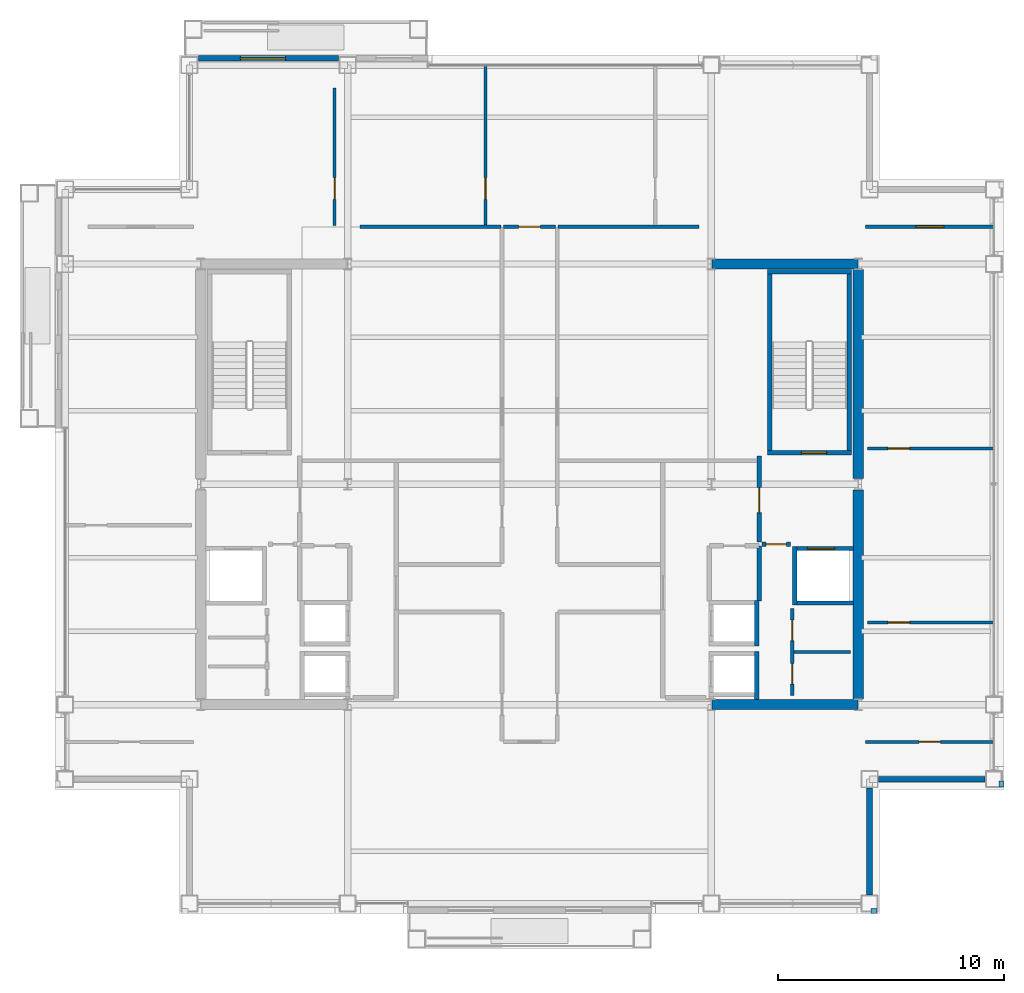
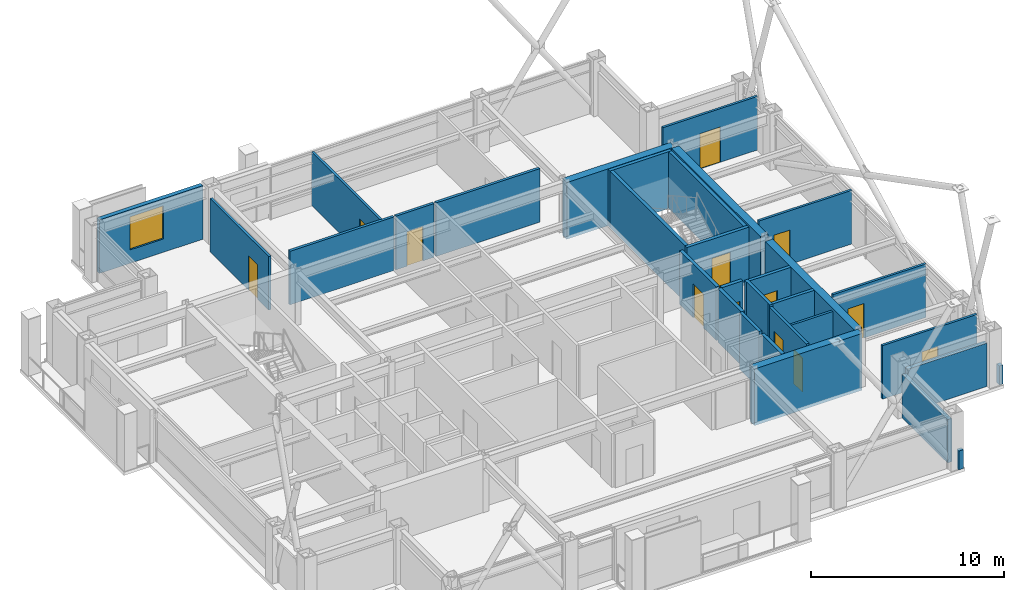
# One storey, part 27 of 30: 32 walls, 13 doors, 1 window, 14 openings.
"""IFC4 building model written with IfcOpenShell, lengths in metres."""

from ifc_helpers import new_model, si_unit, direction, frame, frame_2d, origin, place, context, subcontext, project, spatial, rectangle, extrude, material, layer, layer_set, type_object, element, fill, save


model = new_model("IFC4")

# Units and contexts
model_context = context("Model", 3, precision=1e-05, world=origin(), true_north=direction((0.0, 1.0)))
body_context = subcontext(model_context, "Body", "Model", "MODEL_VIEW")
ifc_project = project(units=[si_unit("LENGTHUNIT", "METRE"), si_unit("AREAUNIT", "SQUARE_METRE"), si_unit("VOLUMEUNIT", "CUBIC_METRE"), si_unit("PLANEANGLEUNIT", "RADIAN"), si_unit("MASSUNIT", "GRAM", prefix="KILO")], contexts=[model_context])

# Site, building, storey
site_placement = place(None, origin())
site = spatial("IfcSite", under=ifc_project, at=site_placement, CompositionType="ELEMENT")
building_placement = place(site_placement, origin())
building = spatial("IfcBuilding", under=site, at=building_placement, Name="Brelmoor Portico Tower", CompositionType="ELEMENT")
storey_placement = place(building_placement, frame((0.0, 0.0, 173.10009765625)))
storey = spatial("IfcBuildingStorey", under=building, at=storey_placement, Name="L45", CompositionType="ELEMENT", Elevation=173.10009765625)

# Walls
ifc_material_1 = material(Name="Concrete C50", Category="concrete")
ifc_layer_1 = layer(ifc_material_1, 0.449951171875)
ifc_layer_set_1 = layer_set([ifc_layer_1], Name="Concrete C50")
wall_type_1 = type_object("IfcWallType", Name="WL-CORE-450", PredefinedType="SHEAR", material=ifc_layer_set_1)
for number, where, z_axis, x_axis, name in (
    (1, (8.070068359375, -9.75, -0.2001953125), (0.0, 0.0, 1.0), (1.0, 0.0, 0.0), "L45 EC South Shear Wall"),
    (2, (8.070068359375, 9.75, -0.2001953125), (0.0, 0.0, 1.0), (1.0, 0.0, 0.0), "L45 EC North Shear Wall"),
):
    element("IfcWall", number, at=place(storey_placement, frame(where, z_axis=z_axis, x_axis=x_axis)), inside=storey, type_object=wall_type_1, Name=name, PredefinedType="SHEAR", context=body_context, shape_type="SweptSolid", body=[
        extrude(rectangle(XDim=6.4599609375, YDim=0.449951171875, at=frame_2d((3.22998046875, 0.0))), origin(), (0.0, 0.0, 1.0), 3.60009765625),
    ])
for number, where, z_axis, x_axis, name in (
    (3, (14.550048828125, -9.5, -0.2001953125), (0.0, 0.0, 1.0), (0.0, 1.0, 0.0), "L45 EC Outer South Shear Wall"),
    (4, (14.550048828125, 0.25, -0.2001953125), (0.0, 0.0, 1.0), (0.0, 1.0, 0.0), "L45 EC Outer North Shear Wall"),
):
    element("IfcWall", number, at=place(storey_placement, frame(where, z_axis=z_axis, x_axis=x_axis)), inside=storey, type_object=wall_type_1, Name=name, PredefinedType="SHEAR", context=body_context, shape_type="SweptSolid", body=[
        extrude(rectangle(XDim=9.25, YDim=0.449951171875, at=frame_2d((4.625, 0.0))), origin(), (0.0, 0.0, 1.0), 3.60009765625),
    ])

# Wall, opening, window
ifc_material_2 = material(Name="Precast Concrete C40 Insulated Facade Wall", Category="concrete")
ifc_layer_2 = layer(ifc_material_2, 0.25)
ifc_layer_set_2 = layer_set([ifc_layer_2], Name="Precast Concrete C40 Insulated Facade Wall")
wall_type_2 = type_object("IfcWallType", Name="WL-EXT-250", PredefinedType="STANDARD", material=ifc_layer_set_2)
wall_1_placement = place(storey_placement, frame((-14.655029296875, 18.860107421875, 0.0), z_axis=(0.0, 0.0, 1.0), x_axis=(1.0, 0.0, 0.0)))
wall_1 = element("IfcWall", 5, at=wall_1_placement, inside=storey, type_object=wall_type_2, Name="L45 Loggia Threshold Wall N-1", PredefinedType="STANDARD", context=body_context, shape_type="SweptSolid", body=[
    extrude(rectangle(XDim=6.2099609375, YDim=0.25, at=frame_2d((3.10498046875, 0.0))), origin(), (0.0, 0.0, 1.0), 3.39990234375),
])
opening_1_placement = place(wall_1_placement, frame((1.85498046875, 0.0, 0.85009765625)))
opening_1 = element("IfcOpeningElement", 6, at=opening_1_placement, cuts=wall_1, Name="Opening W-03", PredefinedType="OPENING", context=body_context, shape_type="SweptSolid", body=[
    extrude(rectangle(XDim=2.0, YDim=2.10009765625, at=frame_2d((1.0, 1.050048828125))), frame((0.0, 0.135009765625, 0.0), z_axis=(0.0, -1.0, 0.0), x_axis=(1.0, 0.0, 0.0)), (0.0, 0.0, 1.0), 0.27001953125),
])
ifc_material_3 = material(Name="Thermally Broken Aluminium Low-E Window", Category="aluminium")
window_type = type_object("IfcWindowType", Name="WN-LOGGIA-2000x2100", PartitioningType="SINGLE_PANEL", PredefinedType="WINDOW", material=ifc_material_3)
window_placement = place(opening_1_placement, origin())
window = element("IfcWindow", 7, at=window_placement, inside=storey, type_object=window_type, Name="L45 Loggia Window N", OverallHeight=2.10009765625, OverallWidth=2.0, PartitioningType="SINGLE_PANEL", PredefinedType="WINDOW", context=body_context, shape_type="SweptSolid", body=[
    extrude(rectangle(XDim=2.0, YDim=2.10009765625, at=frame_2d((1.0, 1.050048828125))), frame((0.0, 0.030029296875, 0.0), z_axis=(0.0, -1.0, 0.0), x_axis=(1.0, 0.0, 0.0)), (0.0, 0.0, 1.0), 0.06005859375),
])
fill(opening_1, window)

# Walls
for number, where, z_axis, x_axis, name in (
    (8, (15.43505859375, -13.050048828125, 0.0), (0.0, 0.0, 1.0), (1.0, 0.0, 0.0), "L45 Corner Notch Facade Wall NSEH1"),
    (9, (15.050048828125, -18.1650390625, 0.0), (0.0, 0.0, 1.0), (0.0, 1.0, 0.0), "L45 Corner Notch Facade Wall NSEV1"),
):
    element("IfcWall", number, at=place(storey_placement, frame(where, z_axis=z_axis, x_axis=x_axis)), inside=storey, type_object=wall_type_2, Name=name, PredefinedType="STANDARD", context=body_context, shape_type="SweptSolid", body=[
        extrude(rectangle(XDim=4.72998046875, YDim=0.25, at=frame_2d((2.364990234375, 0.0))), origin(), (0.0, 0.0, 1.0), 2.75),
    ])
ifc_material_4 = material(Name="Concrete C40 Parapet Upstand", Category="concrete")
ifc_layer_3 = layer(ifc_material_4, 0.219970703125)
ifc_layer_set_3 = layer_set([ifc_layer_3], Name="Concrete C40 Parapet Upstand")
wall_type_3 = type_object("IfcWallType", Name="WL-PARAPET-220", PredefinedType="PARAPET", material=ifc_layer_set_3)
for number, where, z_axis, x_axis, name in (
    (10, (15.1201171875, -18.889892578125, 0.0), (0.0, 0.0, 1.0), (1.0, 0.0, 0.0), "L45 Chamfer Vertex Parapet Pier SE1"),
    (11, (20.889892578125, -13.389892578125, 0.0), (0.0, 0.0, 1.0), (0.0, 1.0, 0.0), "L45 Chamfer Vertex Parapet Pier SE2"),
):
    element("IfcWall", number, at=place(storey_placement, frame(where, z_axis=z_axis, x_axis=x_axis)), inside=storey, type_object=wall_type_3, Name=name, PredefinedType="PARAPET", context=body_context, shape_type="SweptSolid", body=[
        extrude(rectangle(XDim=0.269775390625, YDim=0.219970703125, at=frame_2d((0.134765625, 0.0))), origin(), (0.0, 0.0, 1.0), 1.199951171875),
    ])
ifc_material_5 = material(Name="Insulated Stud Suite Partition", Category="gypsum")
ifc_layer_4 = layer(ifc_material_5, 0.139892578125)
ifc_layer_set_4 = layer_set([ifc_layer_4], Name="Insulated Stud Suite Partition")
wall_type_4 = type_object("IfcWallType", Name="WL-PART-140", PredefinedType="PARTITIONING", material=ifc_layer_set_4)
wall_2_placement = place(storey_placement, frame((11.699951171875, -7.425048828125, 0.0), z_axis=(0.0, 0.0, 1.0), x_axis=(1.0, 0.0, 0.0)))
element("IfcWall", 12, at=wall_2_placement, inside=storey, type_object=wall_type_4, Name="L45 E Core WC Divider 1", PredefinedType="PARTITIONING", context=body_context, shape_type="SweptSolid", body=[
    extrude(rectangle(XDim=2.5, YDim=0.139892578125, at=frame_2d((1.25, 0.0))), origin(), (0.0, 0.0, 1.0), 3.39990234375),
])

# Wall, opening, door
wall_3_placement = place(storey_placement, frame((-8.624267578125, 11.4599609375, 0.0), z_axis=(0.0, 0.0, 1.0), x_axis=(0.0, 1.0, 0.0)))
wall_3 = element("IfcWall", 13, at=wall_3_placement, inside=storey, type_object=wall_type_4, Name="L45 North Suite Partition 1", PredefinedType="PARTITIONING", context=body_context, shape_type="SweptSolid", body=[
    extrude(rectangle(XDim=6.090087890625, YDim=0.139892578125, at=frame_2d((3.044921875, 0.0))), origin(), (0.0, 0.0, 1.0), 3.39990234375),
])
opening_2_placement = place(wall_3_placement, frame((1.14990234375, 0.0, 0.0)))
opening_2 = element("IfcOpeningElement", 14, at=opening_2_placement, cuts=wall_3, Name="Opening D-IN2", PredefinedType="OPENING", context=body_context, shape_type="SweptSolid", body=[
    extrude(rectangle(XDim=0.9599609375, YDim=2.179931640625, at=frame_2d((0.47998046875, 1.08984375))), frame((0.0, 0.079833984375, 0.0), z_axis=(0.0, -1.0, 0.0), x_axis=(1.0, 0.0, 0.0)), (0.0, 0.0, 1.0), 0.159912109375),
])
ifc_material_6 = material(Name="Lacquered Timber Suite Door", Category="wood")
door_type_1 = type_object("IfcDoorType", Name="DR-INT-950", OperationType="NOTDEFINED", PredefinedType="DOOR", material=ifc_material_6)
door_1_placement = place(opening_2_placement, origin())
door_1 = element("IfcDoor", 15, at=door_1_placement, inside=storey, type_object=door_type_1, Name="D-1924 L45 North Suite Connecting Door 1", OperationType="SINGLE_SWING_RIGHT", OverallHeight=2.179931640625, OverallWidth=0.9599609375, PredefinedType="DOOR", context=body_context, shape_type="SweptSolid", body=[
    extrude(rectangle(XDim=0.9599609375, YDim=2.179931640625, at=frame_2d((0.47998046875, 1.08984375))), frame((0.0, 0.02490234375, 0.0), z_axis=(0.0, -1.0, 0.0), x_axis=(1.0, 0.0, 0.0)), (0.0, 0.0, 1.0), 0.050048828125),
])
fill(opening_2, door_1)

wall_4_placement = place(storey_placement, frame((-1.947509765625, 11.4599609375, 0.0), z_axis=(0.0, 0.0, 1.0), x_axis=(0.0, 1.0, 0.0)))
wall_4 = element("IfcWall", 16, at=wall_4_placement, inside=storey, type_object=wall_type_4, Name="L45 North Suite Partition 2", PredefinedType="PARTITIONING", context=body_context, shape_type="SweptSolid", body=[
    extrude(rectangle(XDim=7.10009765625, YDim=0.139892578125, at=frame_2d((3.550048828125, 0.0))), origin(), (0.0, 0.0, 1.0), 3.39990234375),
])
opening_3_placement = place(wall_4_placement, frame((1.14990234375, 0.0, 0.0)))
opening_3 = element("IfcOpeningElement", 17, at=opening_3_placement, cuts=wall_4, Name="Opening D-IN2", PredefinedType="OPENING", context=body_context, shape_type="SweptSolid", body=[
    extrude(rectangle(XDim=0.9599609375, YDim=2.179931640625, at=frame_2d((0.47998046875, 1.08984375))), frame((0.0, 0.079833984375, 0.0), z_axis=(0.0, -1.0, 0.0), x_axis=(1.0, 0.0, 0.0)), (0.0, 0.0, 1.0), 0.159912109375),
])
door_2_placement = place(opening_3_placement, origin())
door_2 = element("IfcDoor", 18, at=door_2_placement, inside=storey, type_object=door_type_1, Name="D-1925 L45 North Suite Connecting Door 2", OperationType="SINGLE_SWING_LEFT", OverallHeight=2.179931640625, OverallWidth=0.9599609375, PredefinedType="DOOR", context=body_context, shape_type="SweptSolid", body=[
    extrude(rectangle(XDim=0.9599609375, YDim=2.179931640625, at=frame_2d((0.47998046875, 1.08984375))), frame((0.0, 0.02490234375, 0.0), z_axis=(0.0, -1.0, 0.0), x_axis=(1.0, 0.0, 0.0)), (0.0, 0.0, 1.0), 0.050048828125),
])
fill(opening_3, door_2)

wall_5_placement = place(storey_placement, frame((14.8798828125, 11.39990234375, 0.0), z_axis=(0.0, 0.0, 1.0), x_axis=(1.0, 0.0, 0.0)))
wall_5 = element("IfcWall", 19, at=wall_5_placement, inside=storey, type_object=wall_type_4, Name="L45 North Wing Suite Wall ER", PredefinedType="PARTITIONING", context=body_context, shape_type="SweptSolid", body=[
    extrude(rectangle(XDim=5.68017578125, YDim=0.139892578125, at=frame_2d((2.840087890625, 0.0))), origin(), (0.0, 0.0, 1.0), 3.39990234375),
])
opening_4_placement = place(wall_5_placement, frame((2.219970703125, 0.0, 0.0)))
opening_4 = element("IfcOpeningElement", 20, at=opening_4_placement, cuts=wall_5, Name="Opening D-SU1", PredefinedType="OPENING", context=body_context, shape_type="SweptSolid", body=[
    extrude(rectangle(XDim=1.239990234375, YDim=2.239990234375, at=frame_2d((0.6201171875, 1.1201171875))), frame((0.0, 0.079833984375, 0.0), z_axis=(0.0, -1.0, 0.0), x_axis=(1.0, 0.0, 0.0)), (0.0, 0.0, 1.0), 0.159912109375),
])
ifc_material_7 = material(Name="Glazed Timber Executive Suite Door", Category="wood")
door_type_2 = type_object("IfcDoorType", Name="DR-SUITE-1200", OperationType="NOTDEFINED", PredefinedType="DOOR", material=ifc_material_7)
door_3_placement = place(opening_4_placement, origin())
door_3 = element("IfcDoor", 21, at=door_3_placement, inside=storey, type_object=door_type_2, Name="D-1927 L45 ER Wing Suite Connecting Door", OperationType="SINGLE_SWING_LEFT", OverallHeight=2.239990234375, OverallWidth=1.239990234375, PredefinedType="DOOR", context=body_context, shape_type="SweptSolid", body=[
    extrude(rectangle(XDim=1.239990234375, YDim=2.239990234375, at=frame_2d((0.6201171875, 1.1201171875))), frame((0.0, 0.02490234375, 0.0), z_axis=(0.0, -1.0, 0.0), x_axis=(1.0, 0.0, 0.0)), (0.0, 0.0, 1.0), 0.050048828125),
])
fill(opening_4, door_3)

wall_6_placement = place(storey_placement, frame((14.8798828125, -11.39990234375, 0.0), z_axis=(0.0, 0.0, 1.0), x_axis=(1.0, 0.0, 0.0)))
wall_6 = element("IfcWall", 22, at=wall_6_placement, inside=storey, type_object=wall_type_4, Name="L45 South Wing Closure ER", PredefinedType="PARTITIONING", context=body_context, shape_type="SweptSolid", body=[
    extrude(rectangle(XDim=5.68017578125, YDim=0.139892578125, at=frame_2d((2.840087890625, 0.0))), origin(), (0.0, 0.0, 1.0), 3.39990234375),
])
opening_5_placement = place(wall_6_placement, frame((2.360107421875, 0.0, 0.0)))
opening_5 = element("IfcOpeningElement", 23, at=opening_5_placement, cuts=wall_6, Name="Opening D-IN2", PredefinedType="OPENING", context=body_context, shape_type="SweptSolid", body=[
    extrude(rectangle(XDim=0.9599609375, YDim=2.179931640625, at=frame_2d((0.47998046875, 1.08984375))), frame((0.0, 0.079833984375, 0.0), z_axis=(0.0, -1.0, 0.0), x_axis=(1.0, 0.0, 0.0)), (0.0, 0.0, 1.0), 0.159912109375),
])
door_4_placement = place(opening_5_placement, origin())
door_4 = element("IfcDoor", 24, at=door_4_placement, inside=storey, type_object=door_type_1, Name="D-1932 L45 ER Wing South Suite Door", OperationType="SINGLE_SWING_RIGHT", OverallHeight=2.179931640625, OverallWidth=0.9599609375, PredefinedType="DOOR", context=body_context, shape_type="SweptSolid", body=[
    extrude(rectangle(XDim=0.9599609375, YDim=2.179931640625, at=frame_2d((0.47998046875, 1.08984375))), frame((0.0, 0.02490234375, 0.0), z_axis=(0.0, -1.0, 0.0), x_axis=(1.0, 0.0, 0.0)), (0.0, 0.0, 1.0), 0.050048828125),
])
fill(opening_5, door_4)

wall_7_placement = place(storey_placement, frame((14.9599609375, -6.11279296875, 0.0), z_axis=(0.0, 0.0, 1.0), x_axis=(1.0, 0.0, 0.0)))
wall_7 = element("IfcWall", 25, at=wall_7_placement, inside=storey, type_object=wall_type_4, Name="L45 E Wing Partition 1", PredefinedType="PARTITIONING", context=body_context, shape_type="SweptSolid", body=[
    extrude(rectangle(XDim=5.60009765625, YDim=0.139892578125, at=frame_2d((2.800048828125, 0.0))), origin(), (0.0, 0.0, 1.0), 3.39990234375),
])
opening_6_placement = place(wall_7_placement, frame((0.89990234375, 0.0, 0.0)))
opening_6 = element("IfcOpeningElement", 26, at=opening_6_placement, cuts=wall_7, Name="Opening D-IN2", PredefinedType="OPENING", context=body_context, shape_type="SweptSolid", body=[
    extrude(rectangle(XDim=0.9599609375, YDim=2.179931640625, at=frame_2d((0.47998046875, 1.08984375))), frame((0.0, 0.079833984375, 0.0), z_axis=(0.0, -1.0, 0.0), x_axis=(1.0, 0.0, 0.0)), (0.0, 0.0, 1.0), 0.159912109375),
])
door_5_placement = place(opening_6_placement, origin())
door_5 = element("IfcDoor", 27, at=door_5_placement, inside=storey, type_object=door_type_1, Name="D-1937 L45 E Wing Suite Connecting Door 1", OperationType="SINGLE_SWING_RIGHT", OverallHeight=2.179931640625, OverallWidth=0.9599609375, PredefinedType="DOOR", context=body_context, shape_type="SweptSolid", body=[
    extrude(rectangle(XDim=0.9599609375, YDim=2.179931640625, at=frame_2d((0.47998046875, 1.08984375))), frame((0.0, 0.02490234375, 0.0), z_axis=(0.0, -1.0, 0.0), x_axis=(1.0, 0.0, 0.0)), (0.0, 0.0, 1.0), 0.050048828125),
])
fill(opening_6, door_5)

wall_8_placement = place(storey_placement, frame((14.9599609375, 1.584716796875, 0.0), z_axis=(0.0, 0.0, 1.0), x_axis=(1.0, 0.0, 0.0)))
wall_8 = element("IfcWall", 28, at=wall_8_placement, inside=storey, type_object=wall_type_4, Name="L45 E Wing Partition 2", PredefinedType="PARTITIONING", context=body_context, shape_type="SweptSolid", body=[
    extrude(rectangle(XDim=5.60009765625, YDim=0.139892578125, at=frame_2d((2.800048828125, 0.0))), origin(), (0.0, 0.0, 1.0), 3.39990234375),
])
opening_7_placement = place(wall_8_placement, frame((0.89990234375, 0.0, 0.0)))
opening_7 = element("IfcOpeningElement", 29, at=opening_7_placement, cuts=wall_8, Name="Opening D-IN2", PredefinedType="OPENING", context=body_context, shape_type="SweptSolid", body=[
    extrude(rectangle(XDim=0.9599609375, YDim=2.179931640625, at=frame_2d((0.47998046875, 1.08984375))), frame((0.0, 0.079833984375, 0.0), z_axis=(0.0, -1.0, 0.0), x_axis=(1.0, 0.0, 0.0)), (0.0, 0.0, 1.0), 0.159912109375),
])
door_6_placement = place(opening_7_placement, origin())
door_6 = element("IfcDoor", 30, at=door_6_placement, inside=storey, type_object=door_type_1, Name="D-1938 L45 E Wing Suite Connecting Door 2", OperationType="SINGLE_SWING_LEFT", OverallHeight=2.179931640625, OverallWidth=0.9599609375, PredefinedType="DOOR", context=body_context, shape_type="SweptSolid", body=[
    extrude(rectangle(XDim=0.9599609375, YDim=2.179931640625, at=frame_2d((0.47998046875, 1.08984375))), frame((0.0, 0.02490234375, 0.0), z_axis=(0.0, -1.0, 0.0), x_axis=(1.0, 0.0, 0.0)), (0.0, 0.0, 1.0), 0.050048828125),
])
fill(opening_7, door_6)

# Wall, openings, doors
ifc_material_8 = material(Name="Twin-Frame Acoustic Partition", Category="gypsum")
ifc_layer_5 = layer(ifc_material_8, 0.159912109375)
ifc_layer_set_5 = layer_set([ifc_layer_5], Name="Twin-Frame Acoustic Partition")
wall_type_5 = type_object("IfcWallType", Name="WL-PART-160", PredefinedType="PARTITIONING", material=ifc_layer_set_5)
wall_9_placement = place(storey_placement, frame((11.6201171875, -9.35009765625, 0.0), z_axis=(0.0, 0.0, 1.0), x_axis=(0.0, 1.0, 0.0)))
wall_9 = element("IfcWall", 31, at=wall_9_placement, inside=storey, type_object=wall_type_5, Name="L45 E Core Service Front Wall", PredefinedType="PARTITIONING", context=body_context, shape_type="SweptSolid", body=[
    extrude(rectangle(XDim=3.85009765625, YDim=0.159912109375, at=frame_2d((1.925048828125, 0.0))), origin(), (0.0, 0.0, 1.0), 3.39990234375),
])
opening_8_placement = place(wall_9_placement, frame((0.512451171875, 0.0, 0.0)))
opening_8 = element("IfcOpeningElement", 32, at=opening_8_placement, cuts=wall_9, Name="Opening D-IN1", PredefinedType="OPENING", context=body_context, shape_type="SweptSolid", body=[
    extrude(rectangle(XDim=0.89990234375, YDim=2.14990234375, at=frame_2d((0.449951171875, 1.074951171875))), frame((0.0, 0.08984375, 0.0), z_axis=(0.0, -1.0, 0.0), x_axis=(1.0, 0.0, 0.0)), (0.0, 0.0, 1.0), 0.179931640625),
])
opening_9_placement = place(wall_9_placement, frame((2.4375, 0.0, 0.0)))
opening_9 = element("IfcOpeningElement", 33, at=opening_9_placement, cuts=wall_9, Name="Opening D-IN1", PredefinedType="OPENING", context=body_context, shape_type="SweptSolid", body=[
    extrude(rectangle(XDim=0.89990234375, YDim=2.14990234375, at=frame_2d((0.449951171875, 1.074951171875))), frame((0.0, 0.08984375, 0.0), z_axis=(0.0, -1.0, 0.0), x_axis=(1.0, 0.0, 0.0)), (0.0, 0.0, 1.0), 0.179931640625),
])
door_type_3 = type_object("IfcDoorType", Name="DR-INT-900", OperationType="NOTDEFINED", PredefinedType="DOOR", material=ifc_material_6)
door_7_placement = place(opening_8_placement, origin())
door_7 = element("IfcDoor", 34, at=door_7_placement, inside=storey, type_object=door_type_3, Name="D-1910 L45 E Male WC Door", OperationType="SINGLE_SWING_RIGHT", OverallHeight=2.14990234375, OverallWidth=0.89990234375, PredefinedType="DOOR", context=body_context, shape_type="SweptSolid", body=[
    extrude(rectangle(XDim=0.89990234375, YDim=2.14990234375, at=frame_2d((0.449951171875, 1.074951171875))), frame((0.0, 0.02490234375, 0.0), z_axis=(0.0, -1.0, 0.0), x_axis=(1.0, 0.0, 0.0)), (0.0, 0.0, 1.0), 0.050048828125),
])
fill(opening_8, door_7)
door_8_placement = place(opening_9_placement, origin())
door_8 = element("IfcDoor", 35, at=door_8_placement, inside=storey, type_object=door_type_3, Name="D-1911 L45 E Female WC Door", OperationType="SINGLE_SWING_LEFT", OverallHeight=2.14990234375, OverallWidth=0.89990234375, PredefinedType="DOOR", context=body_context, shape_type="SweptSolid", body=[
    extrude(rectangle(XDim=0.89990234375, YDim=2.14990234375, at=frame_2d((0.449951171875, 1.074951171875))), frame((0.0, 0.02490234375, 0.0), z_axis=(0.0, -1.0, 0.0), x_axis=(1.0, 0.0, 0.0)), (0.0, 0.0, 1.0), 0.050048828125),
])
fill(opening_9, door_8)

# Walls
for number, where, z_axis, x_axis, name in (
    (36, (-7.5, 11.39990234375, 0.0), (0.0, 0.0, 1.0), (1.0, 0.0, 0.0), "L45 West Reclaimed Suite North Wall"),
    (37, (1.260009765625, 11.39990234375, 0.0), (0.0, 0.0, 1.0), (1.0, 0.0, 0.0), "L45 East Suite North Wall"),
):
    element("IfcWall", number, at=place(storey_placement, frame(where, z_axis=z_axis, x_axis=x_axis)), inside=storey, type_object=wall_type_5, Name=name, PredefinedType="PARTITIONING", context=body_context, shape_type="SweptSolid", body=[
        extrude(rectangle(XDim=6.239990234375, YDim=0.159912109375, at=frame_2d((3.1201171875, 0.0))), origin(), (0.0, 0.0, 1.0), 3.39990234375),
    ])

# Wall, opening, door
wall_10_placement = place(storey_placement, frame((-1.14990234375, 11.39990234375, 0.0), z_axis=(0.0, 0.0, 1.0), x_axis=(1.0, 0.0, 0.0)))
wall_10 = element("IfcWall", 38, at=wall_10_placement, inside=storey, type_object=wall_type_5, Name="L45 North Corridor Partition", PredefinedType="PARTITIONING", context=body_context, shape_type="SweptSolid", body=[
    extrude(rectangle(XDim=2.2998046875, YDim=0.159912109375, at=frame_2d((1.14990234375, 0.0))), origin(), (0.0, 0.0, 1.0), 3.39990234375),
])
opening_10_placement = place(wall_10_placement, frame((0.669921875, 0.0, 0.0)))
opening_10 = element("IfcOpeningElement", 39, at=opening_10_placement, cuts=wall_10, Name="Opening D-IN2", PredefinedType="OPENING", context=body_context, shape_type="SweptSolid", body=[
    extrude(rectangle(XDim=0.9599609375, YDim=2.179931640625, at=frame_2d((0.47998046875, 1.08984375))), frame((0.0, 0.08984375, 0.0), z_axis=(0.0, -1.0, 0.0), x_axis=(1.0, 0.0, 0.0)), (0.0, 0.0, 1.0), 0.179931640625),
])
door_9_placement = place(opening_10_placement, origin())
door_9 = element("IfcDoor", 40, at=door_9_placement, inside=storey, type_object=door_type_1, Name="D-1923 L45 North Open-Plan Office 3 Door", OperationType="SINGLE_SWING_LEFT", OverallHeight=2.179931640625, OverallWidth=0.9599609375, PredefinedType="DOOR", context=body_context, shape_type="SweptSolid", body=[
    extrude(rectangle(XDim=0.9599609375, YDim=2.179931640625, at=frame_2d((0.47998046875, 1.08984375))), frame((0.0, 0.02490234375, 0.0), z_axis=(0.0, -1.0, 0.0), x_axis=(1.0, 0.0, 0.0)), (0.0, 0.0, 1.0), 0.050048828125),
])
fill(opening_10, door_9)

ifc_material_9 = material(Name="Double-Stud Gypsum Fire Partition", Category="gypsum")
ifc_layer_6 = layer(ifc_material_9, 0.199951171875)
ifc_layer_set_6 = layer_set([ifc_layer_6], Name="Double-Stud Gypsum Fire Partition")
wall_type_6 = type_object("IfcWallType", Name="WL-PART-200", PredefinedType="PARTITIONING", material=ifc_layer_set_6)
wall_11_placement = place(storey_placement, frame((10.159912109375, -2.550048828125, 0.0), z_axis=(0.0, 0.0, 1.0), x_axis=(0.0, 1.0, 0.0)))
wall_11 = element("IfcWall", 41, at=wall_11_placement, inside=storey, type_object=wall_type_6, Name="L45 E Firefighting Lobby Wall", PredefinedType="PARTITIONING", context=body_context, shape_type="SweptSolid", body=[
    extrude(rectangle(XDim=3.800048828125, YDim=0.199951171875, at=frame_2d((1.89990234375, 0.0))), origin(), (0.0, 0.0, 1.0), 3.39990234375),
])
opening_11_placement = place(wall_11_placement, frame((1.300048828125, 0.0, 0.0)))
opening_11 = element("IfcOpeningElement", 42, at=opening_11_placement, cuts=wall_11, Name="Opening D-FR1", PredefinedType="OPENING", context=body_context, shape_type="SweptSolid", body=[
    extrude(rectangle(XDim=1.10009765625, YDim=2.14990234375, at=frame_2d((0.550048828125, 1.074951171875))), frame((0.0, 0.10986328125, 0.0), z_axis=(0.0, -1.0, 0.0), x_axis=(1.0, 0.0, 0.0)), (0.0, 0.0, 1.0), 0.219970703125),
])
ifc_material_10 = material(Name="Painted Galvanised Steel Fire Door", Category="steel")
door_type_4 = type_object("IfcDoorType", Name="DR-FIRE-1100", OperationType="NOTDEFINED", PredefinedType="DOOR", material=ifc_material_10)
door_10_placement = place(opening_11_placement, origin())
door_10 = element("IfcDoor", 43, at=door_10_placement, inside=storey, type_object=door_type_4, Name="D-1919 L45 E Firefighting Lobby Door", OperationType="SINGLE_SWING_LEFT", OverallHeight=2.14990234375, OverallWidth=1.10009765625, PredefinedType="DOOR", context=body_context, shape_type="SweptSolid", body=[
    extrude(rectangle(XDim=1.10009765625, YDim=2.14990234375, at=frame_2d((0.550048828125, 1.074951171875))), frame((0.0, 0.02490234375, 0.0), z_axis=(0.0, -1.0, 0.0), x_axis=(1.0, 0.0, 0.0)), (0.0, 0.0, 1.0), 0.050048828125),
])
fill(opening_11, door_10)

wall_12_placement = place(storey_placement, frame((10.280029296875, -2.64990234375, 0.0), z_axis=(0.0, 0.0, 1.0), x_axis=(1.0, 0.0, 0.0)))
wall_12 = element("IfcWall", 44, at=wall_12_placement, inside=storey, type_object=wall_type_6, Name="L45 E Firefighting Lobby South Wall", PredefinedType="PARTITIONING", context=body_context, shape_type="SweptSolid", body=[
    extrude(rectangle(XDim=1.27001953125, YDim=0.199951171875, at=frame_2d((0.635009765625, 0.0))), origin(), (0.0, 0.0, 1.0), 3.39990234375),
])
opening_12_placement = place(wall_12_placement, frame((0.18505859375, 0.0, 0.0)))
opening_12 = element("IfcOpeningElement", 45, at=opening_12_placement, cuts=wall_12, Name="Opening D-IN1", PredefinedType="OPENING", context=body_context, shape_type="SweptSolid", body=[
    extrude(rectangle(XDim=0.89990234375, YDim=2.14990234375, at=frame_2d((0.449951171875, 1.074951171875))), frame((0.0, 0.10986328125, 0.0), z_axis=(0.0, -1.0, 0.0), x_axis=(1.0, 0.0, 0.0)), (0.0, 0.0, 1.0), 0.219970703125),
])
door_11_placement = place(opening_12_placement, origin())
door_11 = element("IfcDoor", 46, at=door_11_placement, inside=storey, type_object=door_type_3, Name="D-1912 L45 E Core Service Vestibule Door", OperationType="SINGLE_SWING_RIGHT", OverallHeight=2.14990234375, OverallWidth=0.89990234375, PredefinedType="DOOR", context=body_context, shape_type="SweptSolid", body=[
    extrude(rectangle(XDim=0.89990234375, YDim=2.14990234375, at=frame_2d((0.449951171875, 1.074951171875))), frame((0.0, 0.02490234375, 0.0), z_axis=(0.0, -1.0, 0.0), x_axis=(1.0, 0.0, 0.0)), (0.0, 0.0, 1.0), 0.050048828125),
])
fill(opening_12, door_11)

# Walls
wall_13_placement = place(storey_placement, frame((10.159912109375, -5.159912109375, 0.0), z_axis=(0.0, 0.0, 1.0), x_axis=(0.0, 1.0, 0.0)))
element("IfcWall", 47, at=wall_13_placement, inside=storey, type_object=wall_type_6, Name="L45 E Electrical Switchgear Closet Outer Wall", PredefinedType="PARTITIONING", context=body_context, shape_type="SweptSolid", body=[
    extrude(rectangle(XDim=2.43994140625, YDim=0.199951171875, at=frame_2d((1.219970703125, 0.0))), origin(), (0.0, 0.0, 1.0), 3.39990234375),
])
ifc_material_11 = material(Name="Precast Concrete C40", Category="concrete")
ifc_layer_7 = layer(ifc_material_11, 0.18994140625)
ifc_layer_set_7 = layer_set([ifc_layer_7], Name="Precast Concrete C40")
wall_type_7 = type_object("IfcWallType", Name="WL-SHAFT-180", PredefinedType="SOLIDWALL", material=ifc_layer_set_7)
wall_14_placement = place(storey_placement, frame((10.054931640625, -9.52001953125, -0.2001953125), z_axis=(0.0, 0.0, 1.0), x_axis=(0.0, 1.0, 0.0)))
element("IfcWall", 48, at=wall_14_placement, inside=storey, type_object=wall_type_7, Name="L45 Lift PH3 Hoistway Back Wall", PredefinedType="SOLIDWALL", context=body_context, shape_type="SweptSolid", body=[
    extrude(rectangle(XDim=2.1201171875, YDim=0.18994140625, at=frame_2d((1.06005859375, 0.0))), origin(), (0.0, 0.0, 1.0), 3.60009765625),
])
wall_15_placement = place(storey_placement, frame((10.054931640625, -7.14990234375, -0.2001953125), z_axis=(0.0, 0.0, 1.0), x_axis=(0.0, 1.0, 0.0)))
element("IfcWall", 49, at=wall_15_placement, inside=storey, type_object=wall_type_7, Name="L45 Lift PH4 Hoistway Back Wall", PredefinedType="SOLIDWALL", context=body_context, shape_type="SweptSolid", body=[
    extrude(rectangle(XDim=2.0, YDim=0.18994140625, at=frame_2d((1.0, 0.0))), origin(), (0.0, 0.0, 1.0), 3.60009765625),
])

# Wall, opening, door
wall_16_placement = place(storey_placement, frame((11.64990234375, -2.844970703125, -0.2001953125), z_axis=(0.0, 0.0, 1.0), x_axis=(1.0, 0.0, 0.0)))
wall_16 = element("IfcWall", 50, at=wall_16_placement, inside=storey, type_object=wall_type_7, Name="L45 Lift FF2 Hoistway Front Wall", PredefinedType="SOLIDWALL", context=body_context, shape_type="SweptSolid", body=[
    extrude(rectangle(XDim=2.68017578125, YDim=0.18994140625, at=frame_2d((1.340087890625, 0.0))), origin(), (0.0, 0.0, 1.0), 3.60009765625),
])
opening_13_placement = place(wall_16_placement, frame((0.64990234375, 0.0, 0.199951171875)))
opening_13 = element("IfcOpeningElement", 51, at=opening_13_placement, cuts=wall_16, Name="Opening LD-02", PredefinedType="OPENING", context=body_context, shape_type="SweptSolid", body=[
    extrude(rectangle(XDim=1.199951171875, YDim=2.199951171875, at=frame_2d((0.60009765625, 1.10009765625))), frame((0.0, 0.10498046875, 0.0), z_axis=(0.0, -1.0, 0.0), x_axis=(1.0, 0.0, 0.0)), (0.0, 0.0, 1.0), 0.2099609375),
])
ifc_material_12 = material(Name="Brushed Stainless Steel Firefighting Lift Door", Category="steel")
door_type_5 = type_object("IfcDoorType", Name="DR-LIFT-1200", OperationType="NOTDEFINED", PredefinedType="DOOR", material=ifc_material_12)
door_12_placement = place(opening_13_placement, origin())
door_12 = element("IfcDoor", 52, at=door_12_placement, inside=storey, type_object=door_type_5, Name="D-1941 L45 Lift FF2 Sliding Landing Door", OperationType="SLIDING_TO_LEFT", OverallHeight=2.199951171875, OverallWidth=1.199951171875, PredefinedType="DOOR", context=body_context, shape_type="SweptSolid", body=[
    extrude(rectangle(XDim=1.199951171875, YDim=2.199951171875, at=frame_2d((0.60009765625, 1.10009765625))), frame((0.0, 0.02490234375, 0.0), z_axis=(0.0, -1.0, 0.0), x_axis=(1.0, 0.0, 0.0)), (0.0, 0.0, 1.0), 0.050048828125),
])
fill(opening_13, door_12)

# Walls
wall_17_placement = place(storey_placement, frame((11.64990234375, -5.2548828125, -0.2001953125), z_axis=(0.0, 0.0, 1.0), x_axis=(1.0, 0.0, 0.0)))
element("IfcWall", 53, at=wall_17_placement, inside=storey, type_object=wall_type_7, Name="L45 Firefighting Lift FF2 South Wall", PredefinedType="SOLIDWALL", context=body_context, shape_type="SweptSolid", body=[
    extrude(rectangle(XDim=2.68017578125, YDim=0.18994140625, at=frame_2d((1.340087890625, 0.0))), origin(), (0.0, 0.0, 1.0), 3.60009765625),
])
wall_18_placement = place(storey_placement, frame((11.7451171875, -5.35009765625, -0.2001953125), z_axis=(0.0, 0.0, 1.0), x_axis=(0.0, 1.0, 0.0)))
element("IfcWall", 54, at=wall_18_placement, inside=storey, type_object=wall_type_7, Name="L45 Firefighting Lift FF2 Inner Wall", PredefinedType="SOLIDWALL", context=body_context, shape_type="SweptSolid", body=[
    extrude(rectangle(XDim=2.60009765625, YDim=0.18994140625, at=frame_2d((1.300048828125, 0.0))), origin(), (0.0, 0.0, 1.0), 3.60009765625),
])
ifc_material_13 = material(Name="Concrete C40", Category="concrete")
ifc_layer_8 = layer(ifc_material_13, 0.199951171875)
ifc_layer_set_8 = layer_set([ifc_layer_8], Name="Concrete C40")
wall_type_8 = type_object("IfcWallType", Name="WL-SHAFT-RC200", PredefinedType="SOLIDWALL", material=ifc_layer_set_8)
wall_19_placement = place(storey_placement, frame((14.14990234375, 1.5, -0.2001953125), z_axis=(0.0, 0.0, 1.0), x_axis=(0.0, 1.0, 0.0)))
element("IfcWall", 55, at=wall_19_placement, inside=storey, type_object=wall_type_8, Name="L45 ST-E Structural Stair Wall Outer", PredefinedType="SOLIDWALL", context=body_context, shape_type="SweptSolid", body=[
    extrude(rectangle(XDim=7.800048828125, YDim=0.199951171875, at=frame_2d((3.89990234375, 0.0))), origin(), (0.0, 0.0, 1.0), 3.60009765625),
])

# Wall, opening, door
wall_20_placement = place(storey_placement, frame((10.530029296875, 1.39990234375, -0.2001953125), z_axis=(0.0, 0.0, 1.0), x_axis=(1.0, 0.0, 0.0)))
wall_20 = element("IfcWall", 56, at=wall_20_placement, inside=storey, type_object=wall_type_8, Name="L45 ST-E Structural Stair Wall S", PredefinedType="SOLIDWALL", context=body_context, shape_type="SweptSolid", body=[
    extrude(rectangle(XDim=3.719970703125, YDim=0.199951171875, at=frame_2d((1.85986328125, 0.0))), origin(), (0.0, 0.0, 1.0), 3.60009765625),
])
opening_14_placement = place(wall_20_placement, frame((1.5, 0.0, 0.199951171875)))
opening_14 = element("IfcOpeningElement", 57, at=opening_14_placement, cuts=wall_20, Name="Opening D-ST1", PredefinedType="OPENING", context=body_context, shape_type="SweptSolid", body=[
    extrude(rectangle(XDim=1.1201171875, YDim=2.179931640625, at=frame_2d((0.56005859375, 1.08984375))), frame((0.0, 0.10986328125, 0.0), z_axis=(0.0, -1.0, 0.0), x_axis=(1.0, 0.0, 0.0)), (0.0, 0.0, 1.0), 0.219970703125),
])
door_type_6 = type_object("IfcDoorType", Name="DR-STAIR-1100", OperationType="NOTDEFINED", PredefinedType="DOOR", material=ifc_material_10)
door_13_placement = place(opening_14_placement, origin())
door_13 = element("IfcDoor", 58, at=door_13_placement, inside=storey, type_object=door_type_6, Name="D-1930 L45 ST-E Protected Exit Stair Door", OperationType="SINGLE_SWING_RIGHT", OverallHeight=2.179931640625, OverallWidth=1.1201171875, PredefinedType="DOOR", context=body_context, shape_type="SweptSolid", body=[
    extrude(rectangle(XDim=1.1201171875, YDim=2.179931640625, at=frame_2d((0.56005859375, 1.08984375))), frame((0.0, 0.02490234375, 0.0), z_axis=(0.0, -1.0, 0.0), x_axis=(1.0, 0.0, 0.0)), (0.0, 0.0, 1.0), 0.050048828125),
])
fill(opening_14, door_13)

# Walls
wall_21_placement = place(storey_placement, frame((10.530029296875, 9.39990234375, -0.2001953125), z_axis=(0.0, 0.0, 1.0), x_axis=(1.0, 0.0, 0.0)))
element("IfcWall", 59, at=wall_21_placement, inside=storey, type_object=wall_type_8, Name="L45 ST-E Structural Stair Wall N", PredefinedType="SOLIDWALL", context=body_context, shape_type="SweptSolid", body=[
    extrude(rectangle(XDim=3.719970703125, YDim=0.199951171875, at=frame_2d((1.85986328125, 0.0))), origin(), (0.0, 0.0, 1.0), 3.60009765625),
])
wall_22_placement = place(storey_placement, frame((10.6298828125, 1.5, -0.2001953125), z_axis=(0.0, 0.0, 1.0), x_axis=(0.0, 1.0, 0.0)))
element("IfcWall", 60, at=wall_22_placement, inside=storey, type_object=wall_type_8, Name="L45 ST-E Structural Stair Wall Inner", PredefinedType="SOLIDWALL", context=body_context, shape_type="SweptSolid", body=[
    extrude(rectangle(XDim=7.800048828125, YDim=0.199951171875, at=frame_2d((3.89990234375, 0.0))), origin(), (0.0, 0.0, 1.0), 3.60009765625),
])

save(model, "model.ifc")
